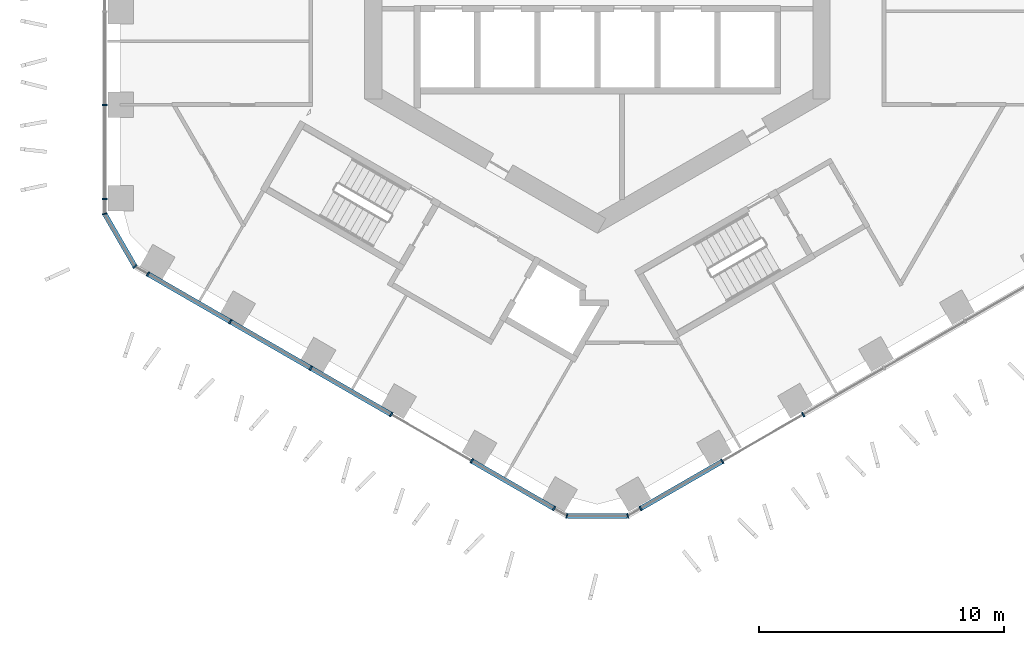
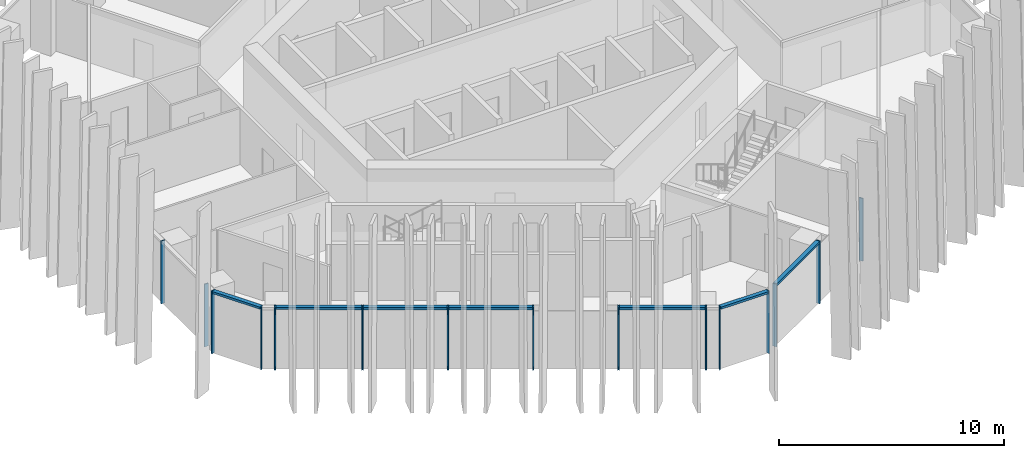
# One storey, part 2 of 18: 20 members, 5 elements without a shape of their own.
"""IFC4 building model written with IfcOpenShell, lengths in metres."""

from ifc_helpers import new_model, si_unit, direction, frame, origin, origin_2d, place, context, subcontext, project, spatial, rectangle, extrude, material, layer, layer_set, material_profile, profile_set, type_object, element, aggregate, save


model = new_model("IFC4")

# Units and contexts
model_context = context("Model", 3, precision=1e-05, world=origin(), true_north=direction((0.0, 1.0)))
body_context = subcontext(model_context, "Body", "Model", "MODEL_VIEW")
ifc_project = project(units=[si_unit("LENGTHUNIT", "METRE"), si_unit("AREAUNIT", "SQUARE_METRE"), si_unit("VOLUMEUNIT", "CUBIC_METRE"), si_unit("PLANEANGLEUNIT", "RADIAN"), si_unit("MASSUNIT", "GRAM", prefix="KILO")], contexts=[model_context])

# Site, building, storey
site_placement = place(None, origin())
site = spatial("IfcSite", under=ifc_project, at=site_placement, CompositionType="ELEMENT")
building_placement = place(site_placement, origin())
building = spatial("IfcBuilding", under=site, at=building_placement, Name="Ayvan Gate Tower", CompositionType="ELEMENT")
storey_placement = place(building_placement, frame((0.0, 0.0, 83.10009765625)))
storey = spatial("IfcBuildingStorey", under=building, at=storey_placement, Name="L21", CompositionType="ELEMENT", Elevation=83.10009765625)

# Curtain wall, members
ifc_material = material(Name="Bronze anodised aluminium", Category="aluminium")
ifc_layer_1 = layer(ifc_material, 0.199951171875)
ifc_layer_set_1 = layer_set([ifc_layer_1], Name="Bronze anodised aluminium")
curtain_wall_type_1 = type_object("IfcCurtainWallType", Name="Stick curtain wall CW-1", PredefinedType="NOTDEFINED", material=ifc_layer_set_1)
curtain_wall_1_placement = place(storey_placement, origin())
curtain_wall_1 = element("IfcCurtainWall", 1, at=curtain_wall_1_placement, inside=storey, type_object=curtain_wall_type_1, Name="Stick curtain wall CW-1 L21", PredefinedType="NOTDEFINED")
ifc_material_profile_1 = material_profile(ifc_material, rectangle(XDim=0.199951171875, YDim=0.06005859375, at=origin_2d()), Name="Stick curtain wall CW-1 mullion 200 x 60")
ifc_profile_set_1 = profile_set([ifc_material_profile_1], Name="Bronze anodised aluminium")
member_type_1 = type_object("IfcMemberType", Name="Stick curtain wall CW-1 mullion 200 x 60", PredefinedType="MULLION", material=ifc_profile_set_1)
member_1_placement = place(storey_placement, frame((-20.110595703125, -5.720703125, 0.0), z_axis=(0.0, 0.0, 1.0), x_axis=(-1.0, 0.0, 0.0)))
member_1 = element("IfcMember", 2, at=member_1_placement, type_object=member_type_1, Name="CW-1 mullion 5", PredefinedType="MULLION", context=body_context, shape_type="SweptSolid", body=[
    extrude(rectangle(XDim=0.199951171875, YDim=0.06005859375, at=origin_2d()), origin(), (0.0, 0.0, 1.0), 3.39990234375),
])
member_2_placement = place(storey_placement, frame((-20.110595703125, -9.5703125, 0.0), z_axis=(0.0, 0.0, 1.0), x_axis=(-1.0, 0.0, 0.0)))
member_2 = element("IfcMember", 3, at=member_2_placement, type_object=member_type_1, Name="CW-1 mullion 6", PredefinedType="MULLION", context=body_context, shape_type="SweptSolid", body=[
    extrude(rectangle(XDim=0.199951171875, YDim=0.06005859375, at=origin_2d()), origin(), (0.0, 0.0, 1.0), 3.39990234375),
])
aggregate(curtain_wall_1, [member_1, member_2])

curtain_wall_2_placement = place(storey_placement, origin())
curtain_wall_2 = element("IfcCurtainWall", 4, at=curtain_wall_2_placement, inside=storey, type_object=curtain_wall_type_1, Name="Stick curtain wall CW-1 L21", PredefinedType="NOTDEFINED")
member_3_placement = place(storey_placement, frame((-18.34326171875, -12.631103515625, 0.0), z_axis=(0.0, 0.0, 1.0), x_axis=(-0.5, -0.866025403784, 0.0)))
member_3 = element("IfcMember", 5, at=member_3_placement, type_object=member_type_1, Name="CW-1 mullion 1", PredefinedType="MULLION", context=body_context, shape_type="SweptSolid", body=[
    extrude(rectangle(XDim=0.199951171875, YDim=0.06005859375, at=origin_2d()), origin(), (0.0, 0.0, 1.0), 3.39990234375),
])
member_4_placement = place(storey_placement, frame((-14.983154296875, -14.571044921875, 0.0), z_axis=(0.0, 0.0, 1.0), x_axis=(-0.5, -0.866025403784, 0.0)))
member_4 = element("IfcMember", 6, at=member_4_placement, type_object=member_type_1, Name="CW-1 mullion 2", PredefinedType="MULLION", context=body_context, shape_type="SweptSolid", body=[
    extrude(rectangle(XDim=0.199951171875, YDim=0.06005859375, at=origin_2d()), origin(), (0.0, 0.0, 1.0), 3.39990234375),
])
member_5_placement = place(storey_placement, frame((-11.6982421875, -16.467529296875, 0.0), z_axis=(0.0, 0.0, 1.0), x_axis=(-0.5, -0.866025403784, 0.0)))
member_5 = element("IfcMember", 7, at=member_5_placement, type_object=member_type_1, Name="CW-1 mullion 3", PredefinedType="MULLION", context=body_context, shape_type="SweptSolid", body=[
    extrude(rectangle(XDim=0.199951171875, YDim=0.06005859375, at=origin_2d()), origin(), (0.0, 0.0, 1.0), 3.39990234375),
])
member_6_placement = place(storey_placement, frame((-8.41259765625, -18.36474609375, 0.0), z_axis=(0.0, 0.0, 1.0), x_axis=(-0.5, -0.866025403784, 0.0)))
member_6 = element("IfcMember", 8, at=member_6_placement, type_object=member_type_1, Name="CW-1 mullion 4", PredefinedType="MULLION", context=body_context, shape_type="SweptSolid", body=[
    extrude(rectangle(XDim=0.199951171875, YDim=0.06005859375, at=origin_2d()), origin(), (0.0, 0.0, 1.0), 3.39990234375),
])
member_7_placement = place(storey_placement, frame((-5.127685546875, -20.26123046875, 0.0), z_axis=(0.0, 0.0, 1.0), x_axis=(-0.5, -0.866025403784, 0.0)))
member_7 = element("IfcMember", 9, at=member_7_placement, type_object=member_type_1, Name="CW-1 mullion 5", PredefinedType="MULLION", context=body_context, shape_type="SweptSolid", body=[
    extrude(rectangle(XDim=0.199951171875, YDim=0.06005859375, at=origin_2d()), origin(), (0.0, 0.0, 1.0), 3.39990234375),
])
member_8_placement = place(storey_placement, frame((-1.767333984375, -22.201416015625, 0.0), z_axis=(0.0, 0.0, 1.0), x_axis=(-0.5, -0.866025403784, 0.0)))
member_8 = element("IfcMember", 10, at=member_8_placement, type_object=member_type_1, Name="CW-1 mullion 6", PredefinedType="MULLION", context=body_context, shape_type="SweptSolid", body=[
    extrude(rectangle(XDim=0.199951171875, YDim=0.06005859375, at=origin_2d()), origin(), (0.0, 0.0, 1.0), 3.39990234375),
])

curtain_wall_3_placement = place(storey_placement, origin())
curtain_wall_3 = element("IfcCurtainWall", 11, at=curtain_wall_3_placement, inside=storey, type_object=curtain_wall_type_1, Name="Stick curtain wall CW-1 L21", PredefinedType="NOTDEFINED")
member_9_placement = place(storey_placement, frame((1.767333984375, -22.201416015625, 0.0), z_axis=(0.0, 0.0, 1.0), x_axis=(0.5, -0.866025403784, 0.0)))
member_9 = element("IfcMember", 12, at=member_9_placement, type_object=member_type_1, Name="CW-1 mullion 1", PredefinedType="MULLION", context=body_context, shape_type="SweptSolid", body=[
    extrude(rectangle(XDim=0.199951171875, YDim=0.06005859375, at=origin_2d()), origin(), (0.0, 0.0, 1.0), 3.39990234375),
])
member_10_placement = place(storey_placement, frame((5.1005859375, -20.27685546875, 0.0), z_axis=(0.0, 0.0, 1.0), x_axis=(0.5, -0.866025403784, 0.0)))
member_10 = element("IfcMember", 13, at=member_10_placement, type_object=member_type_1, Name="CW-1 mullion 2", PredefinedType="MULLION", context=body_context, shape_type="SweptSolid", body=[
    extrude(rectangle(XDim=0.199951171875, YDim=0.06005859375, at=origin_2d()), origin(), (0.0, 0.0, 1.0), 3.39990234375),
])
member_11_placement = place(storey_placement, frame((8.403564453125, -18.369873046875, 0.0), z_axis=(0.0, 0.0, 1.0), x_axis=(0.5, -0.866025403784, 0.0)))
member_11 = element("IfcMember", 14, at=member_11_placement, type_object=member_type_1, Name="CW-1 mullion 3", PredefinedType="MULLION", context=body_context, shape_type="SweptSolid", body=[
    extrude(rectangle(XDim=0.199951171875, YDim=0.06005859375, at=origin_2d()), origin(), (0.0, 0.0, 1.0), 3.39990234375),
])

# Member
ifc_material_profile_2 = material_profile(ifc_material, rectangle(XDim=0.199951171875, YDim=0.1201171875, at=origin_2d()), Name="Stick curtain wall CW-1 transom 200 x 120")
ifc_profile_set_2 = profile_set([ifc_material_profile_2], Name="Bronze anodised aluminium")
member_type_2 = type_object("IfcMemberType", Name="Stick curtain wall CW-1 transom 200 x 120", PredefinedType="USERDEFINED", material=ifc_profile_set_2)
member_12_placement = place(storey_placement, frame((-18.34326171875, -12.631103515625, 3.33984375), z_axis=(0.866020995272, -0.500007635689, 0.0), x_axis=(0.500007635689, 0.866020995272, 0.0)))
member_12 = element("IfcMember", 15, at=member_12_placement, type_object=member_type_2, Name="CW-1 transom 1", ObjectType="TRANSOM", PredefinedType="USERDEFINED", context=body_context, shape_type="SweptSolid", body=[
    extrude(rectangle(XDim=0.199951171875, YDim=0.1201171875, at=origin_2d()), origin(), (0.0, 0.0, 1.0), 11.436767578125),
])

member_13_placement = place(storey_placement, frame((-5.101806640625, -20.276123046875, 3.33984375), z_axis=(0.86601030197, -0.500026156197, 0.0), x_axis=(0.500026156197, 0.86601030197, 0.0)))
member_13 = element("IfcMember", 16, at=member_13_placement, type_object=member_type_2, Name="CW-1 transom 2", ObjectType="TRANSOM", PredefinedType="USERDEFINED", context=body_context, shape_type="SweptSolid", body=[
    extrude(rectangle(XDim=0.199951171875, YDim=0.1201171875, at=origin_2d()), origin(), (0.0, 0.0, 1.0), 3.850341796875),
])

aggregate(curtain_wall_2, [member_3, member_4, member_5, member_6, member_7, member_8, member_12, member_13])

member_14_placement = place(storey_placement, frame((1.767333984375, -22.201416015625, 3.33984375), z_axis=(0.86601950017, 0.50001022522, 0.0), x_axis=(-0.50001022522, 0.86601950017, 0.0)))
member_14 = element("IfcMember", 17, at=member_14_placement, type_object=member_type_2, Name="CW-1 transom 1", ObjectType="TRANSOM", PredefinedType="USERDEFINED", context=body_context, shape_type="SweptSolid", body=[
    extrude(rectangle(XDim=0.199951171875, YDim=0.1201171875, at=origin_2d()), origin(), (0.0, 0.0, 1.0), 3.81884765625),
])

aggregate(curtain_wall_3, [member_9, member_10, member_11, member_14])

# Curtain wall, members
ifc_layer_2 = layer(ifc_material, 0.199951171875)
ifc_layer_set_2 = layer_set([ifc_layer_2], Name="Bronze anodised aluminium")
curtain_wall_type_2 = type_object("IfcCurtainWallType", Name="Stick curtain wall CW-6", PredefinedType="NOTDEFINED", material=ifc_layer_set_2)
curtain_wall_4_placement = place(storey_placement, origin())
curtain_wall_4 = element("IfcCurtainWall", 18, at=curtain_wall_4_placement, inside=storey, type_object=curtain_wall_type_2, Name="Stick curtain wall CW-6 L21", PredefinedType="NOTDEFINED")
ifc_material_profile_3 = material_profile(ifc_material, rectangle(XDim=0.199951171875, YDim=0.050048828125, at=origin_2d()), Name="Stick curtain wall CW-6 mullion 200 x 50")
ifc_profile_set_3 = profile_set([ifc_material_profile_3], Name="Bronze anodised aluminium")
member_type_3 = type_object("IfcMemberType", Name="Stick curtain wall CW-6 mullion 200 x 50", PredefinedType="MULLION", material=ifc_profile_set_3)
member_15_placement = place(storey_placement, frame((-20.110595703125, -10.17529296875, 0.0), z_axis=(0.0, 0.0, 1.0), x_axis=(-0.965925826289, -0.258819045103, 0.0)))
member_15 = element("IfcMember", 19, at=member_15_placement, type_object=member_type_3, Name="CW-6 mullion 2", PredefinedType="MULLION", context=body_context, shape_type="SweptSolid", body=[
    extrude(rectangle(XDim=0.199951171875, YDim=0.050048828125, at=origin_2d()), origin(), (0.0, 0.0, 1.0), 3.39990234375),
])
member_16_placement = place(storey_placement, frame((-18.8671875, -12.32861328125, 0.0), z_axis=(0.0, 0.0, 1.0), x_axis=(-0.707106781187, -0.707106781187, 0.0)))
member_16 = element("IfcMember", 20, at=member_16_placement, type_object=member_type_3, Name="CW-6 mullion 3", PredefinedType="MULLION", context=body_context, shape_type="SweptSolid", body=[
    extrude(rectangle(XDim=0.199951171875, YDim=0.050048828125, at=origin_2d()), origin(), (0.0, 0.0, 1.0), 3.39990234375),
])

curtain_wall_5_placement = place(storey_placement, origin())
curtain_wall_5 = element("IfcCurtainWall", 21, at=curtain_wall_5_placement, inside=storey, type_object=curtain_wall_type_2, Name="Stick curtain wall CW-6 L21", PredefinedType="NOTDEFINED")
member_17_placement = place(storey_placement, frame((-1.2431640625, -22.50390625, 0.0), z_axis=(0.0, 0.0, 1.0), x_axis=(-0.258819045103, -0.965925826289, 0.0)))
member_17 = element("IfcMember", 22, at=member_17_placement, type_object=member_type_3, Name="CW-6 mullion 2", PredefinedType="MULLION", context=body_context, shape_type="SweptSolid", body=[
    extrude(rectangle(XDim=0.199951171875, YDim=0.050048828125, at=origin_2d()), origin(), (0.0, 0.0, 1.0), 3.39990234375),
])
member_18_placement = place(storey_placement, frame((1.2431640625, -22.50390625, 0.0), z_axis=(0.0, 0.0, 1.0), x_axis=(0.258819045103, -0.965925826289, 0.0)))
member_18 = element("IfcMember", 23, at=member_18_placement, type_object=member_type_3, Name="CW-6 mullion 3", PredefinedType="MULLION", context=body_context, shape_type="SweptSolid", body=[
    extrude(rectangle(XDim=0.199951171875, YDim=0.050048828125, at=origin_2d()), origin(), (0.0, 0.0, 1.0), 3.39990234375),
])

# Member
ifc_material_profile_4 = material_profile(ifc_material, rectangle(XDim=0.199951171875, YDim=0.1201171875, at=origin_2d()), Name="Stick curtain wall CW-6 transom 200 x 120")
ifc_profile_set_4 = profile_set([ifc_material_profile_4], Name="Bronze anodised aluminium")
member_type_4 = type_object("IfcMemberType", Name="Stick curtain wall CW-6 transom 200 x 120", PredefinedType="USERDEFINED", material=ifc_profile_set_4)
member_19_placement = place(storey_placement, frame((-20.09814453125, -10.19677734375, 3.33984375), z_axis=(0.499997116, -0.866027068856, 0.0), x_axis=(0.866027068856, 0.499997116, 0.0)))
member_19 = element("IfcMember", 24, at=member_19_placement, type_object=member_type_4, Name="CW-6 transom 2", ObjectType="TRANSOM", PredefinedType="USERDEFINED", context=body_context, shape_type="SweptSolid", body=[
    extrude(rectangle(XDim=0.199951171875, YDim=0.1201171875, at=origin_2d()), origin(), (0.0, 0.0, 1.0), 2.4365234375),
])

aggregate(curtain_wall_4, [member_15, member_16, member_19])

member_20_placement = place(storey_placement, frame((-1.21826171875, -22.50390625, 3.33984375), z_axis=(1.0, 0.0, 0.0), x_axis=(0.0, 1.0, 0.0)))
member_20 = element("IfcMember", 25, at=member_20_placement, type_object=member_type_4, Name="CW-6 transom 2", ObjectType="TRANSOM", PredefinedType="USERDEFINED", context=body_context, shape_type="SweptSolid", body=[
    extrude(rectangle(XDim=0.199951171875, YDim=0.1201171875, at=origin_2d()), origin(), (0.0, 0.0, 1.0), 2.4365234375),
])

aggregate(curtain_wall_5, [member_17, member_18, member_20])

save(model, "model.ifc")
